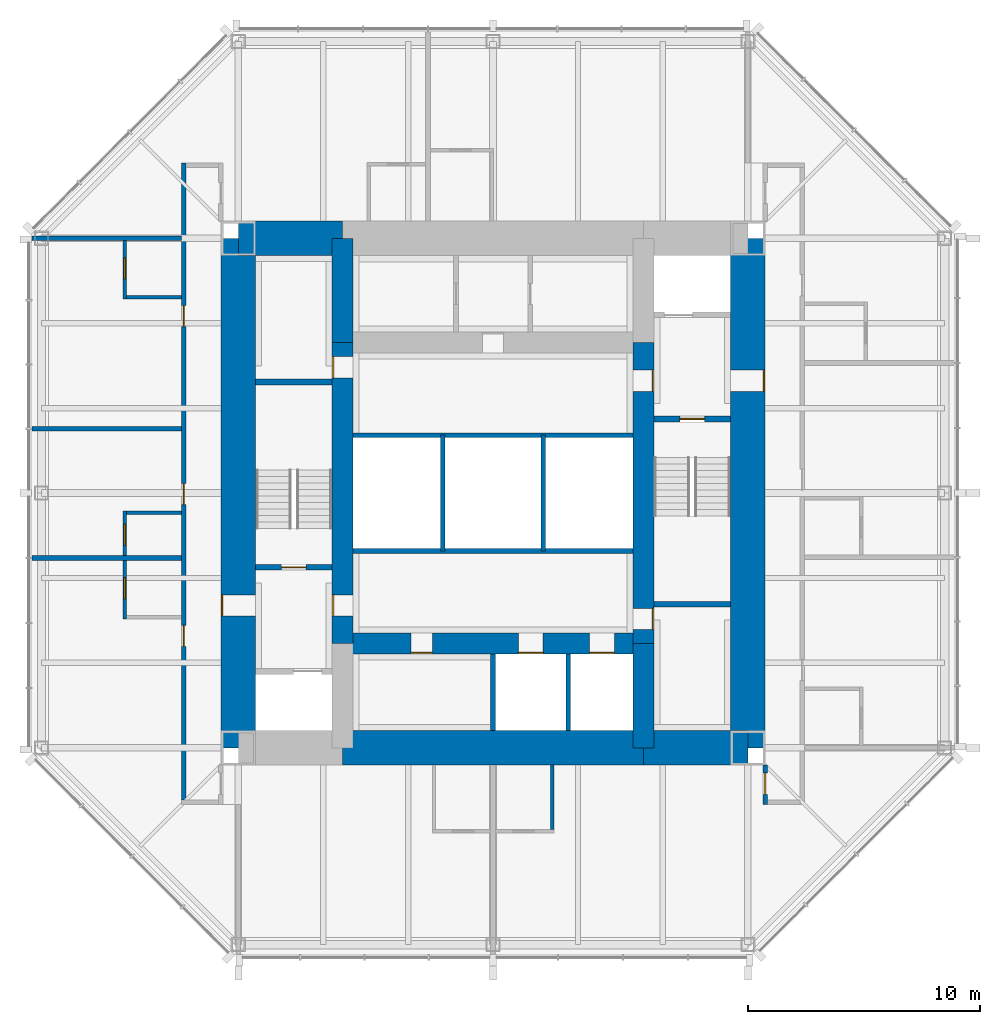
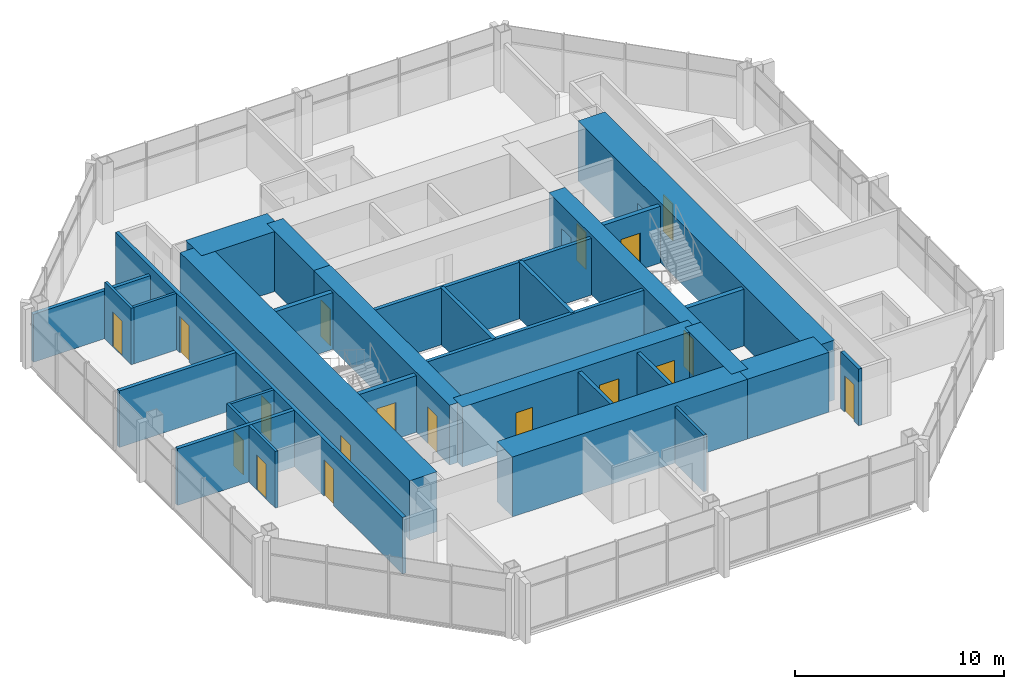
# One storey, part 8 of 11: 31 walls, 18 doors, 18 openings.
"""IFC4 building model written with IfcOpenShell, lengths in metres."""

from ifc_helpers import new_model, si_unit, direction, frame, frame_2d, origin, place, context, subcontext, project, spatial, rectangle, extrude, material, layer, layer_set, type_object, element, fill, save


model = new_model("IFC4")

# Units and contexts
model_context = context("Model", 3, precision=1e-05, world=origin(), true_north=direction((0.0, 1.0)))
body_context = subcontext(model_context, "Body", "Model", "MODEL_VIEW")
ifc_project = project(units=[si_unit("LENGTHUNIT", "METRE"), si_unit("AREAUNIT", "SQUARE_METRE"), si_unit("VOLUMEUNIT", "CUBIC_METRE"), si_unit("PLANEANGLEUNIT", "RADIAN"), si_unit("MASSUNIT", "GRAM", prefix="KILO")], contexts=[model_context])

# Site, building, storey
site_placement = place(None, origin())
site = spatial("IfcSite", under=ifc_project, at=site_placement, CompositionType="ELEMENT")
building_placement = place(site_placement, origin())
building = spatial("IfcBuilding", under=site, at=building_placement, Name="Trevanion Tower", CompositionType="ELEMENT")
storey_placement = place(building_placement, frame((0.0, 0.0, 239.699951171875)))
storey = spatial("IfcBuildingStorey", under=building, at=storey_placement, Name="L58", CompositionType="ELEMENT", Elevation=239.699951171875)

# Wall, opening, door
ifc_material_1 = material(Name="Concrete 10,000 psi", Category="concrete")
ifc_layer_1 = layer(ifc_material_1, 1.5)
ifc_layer_set_1 = layer_set([ifc_layer_1], Name="CW1 core wall 1500")
wall_type_1 = type_object("IfcWallType", Name="CW1 core wall 1500", PredefinedType="SHEAR", material=ifc_layer_set_1)
wall_1_placement = place(storey_placement, frame((11.0, -11.0, 0.0), z_axis=(0.0, 0.0, 1.0), x_axis=(0.0, 1.0, 0.0)))
wall_1 = element("IfcWall", 1, at=wall_1_placement, inside=storey, type_object=wall_type_1, Name="CW1 CE L58", PredefinedType="SHEAR", context=body_context, shape_type="SweptSolid", body=[
    extrude(rectangle(XDim=22.0, YDim=1.5, at=frame_2d((11.0, 0.0))), origin(), (0.0, 0.0, 1.0), 3.5),
])
opening_1_placement = place(wall_1_placement, frame((15.392578125, 0.0, 0.0)))
opening_1 = element("IfcOpeningElement", 2, at=opening_1_placement, cuts=wall_1, Name="Opening 58-001", PredefinedType="OPENING", context=body_context, shape_type="SweptSolid", body=[
    extrude(rectangle(XDim=0.9150390625, YDim=2.134033203125, at=frame_2d((0.45751953125, 1.06689453125))), frame((0.0, 0.760009765625, 0.0), z_axis=(0.0, -1.0, 0.0), x_axis=(1.0, 0.0, 0.0)), (0.0, 0.0, 1.0), 1.52001953125),
])
ifc_material_2 = material(Name="Hollow metal, fire rated", Category="steel")
door_type_1 = type_object("IfcDoorType", Name="D3 fire lift lobby door", OperationType="SINGLE_SWING_RIGHT", PredefinedType="DOOR", material=ifc_material_2)
door_1_placement = place(opening_1_placement, origin())
door_1 = element("IfcDoor", 3, at=door_1_placement, inside=storey, type_object=door_type_1, Name="Door 58-001", OperationType="SINGLE_SWING_RIGHT", OverallHeight=2.134033203125, OverallWidth=0.9150390625, PredefinedType="DOOR", context=body_context, shape_type="SweptSolid", body=[
    extrude(rectangle(XDim=0.9150390625, YDim=2.134033203125, at=frame_2d((0.45751953125, 1.06689453125))), frame((0.0, -0.6748046875, 0.0), z_axis=(0.0, -1.0, 0.0), x_axis=(1.0, 0.0, 0.0)), (0.0, 0.0, 1.0), 0.050048828125),
])
fill(opening_1, door_1)

wall_2_placement = place(storey_placement, frame((-11.0, 11.0, 0.0), z_axis=(0.0, 0.0, 1.0), x_axis=(0.0, -1.0, 0.0)))
wall_2 = element("IfcWall", 4, at=wall_2_placement, inside=storey, type_object=wall_type_1, Name="CW1 CW L58", PredefinedType="SHEAR", context=body_context, shape_type="SweptSolid", body=[
    extrude(rectangle(XDim=22.0, YDim=1.5, at=frame_2d((11.0, 0.0))), origin(), (0.0, 0.0, 1.0), 3.5),
])
opening_2_placement = place(wall_2_placement, frame((15.392578125, 0.0, 0.0)))
opening_2 = element("IfcOpeningElement", 5, at=opening_2_placement, cuts=wall_2, Name="Opening 58-002", PredefinedType="OPENING", context=body_context, shape_type="SweptSolid", body=[
    extrude(rectangle(XDim=0.9150390625, YDim=2.134033203125, at=frame_2d((0.45751953125, 1.06689453125))), frame((0.0, 0.760009765625, 0.0), z_axis=(0.0, -1.0, 0.0), x_axis=(1.0, 0.0, 0.0)), (0.0, 0.0, 1.0), 1.52001953125),
])
door_2_placement = place(opening_2_placement, origin())
door_2 = element("IfcDoor", 6, at=door_2_placement, inside=storey, type_object=door_type_1, Name="Door 58-002", OperationType="SINGLE_SWING_RIGHT", OverallHeight=2.134033203125, OverallWidth=0.9150390625, PredefinedType="DOOR", context=body_context, shape_type="SweptSolid", body=[
    extrude(rectangle(XDim=0.9150390625, YDim=2.134033203125, at=frame_2d((0.45751953125, 1.06689453125))), frame((0.0, -0.6748046875, 0.0), z_axis=(0.0, -1.0, 0.0), x_axis=(1.0, 0.0, 0.0)), (0.0, 0.0, 1.0), 0.050048828125),
])
fill(opening_2, door_2)

# Walls
wall_3_placement = place(storey_placement, frame((-6.5, 11.0, 0.0), z_axis=(0.0, 0.0, 1.0), x_axis=(-1.0, 0.0, 0.0)))
element("IfcWall", 7, at=wall_3_placement, inside=storey, type_object=wall_type_1, Name="CW1 CN3 L58", PredefinedType="SHEAR", context=body_context, shape_type="SweptSolid", body=[
    extrude(rectangle(XDim=4.5, YDim=1.5, at=frame_2d((2.25, 0.0))), origin(), (0.0, 0.0, 1.0), 3.5),
])
wall_4_placement = place(storey_placement, frame((-6.5, -11.0, 0.0), z_axis=(0.0, 0.0, 1.0), x_axis=(1.0, 0.0, 0.0)))
element("IfcWall", 8, at=wall_4_placement, inside=storey, type_object=wall_type_1, Name="CW1 CS2 L58", PredefinedType="SHEAR", context=body_context, shape_type="SweptSolid", body=[
    extrude(rectangle(XDim=13.0, YDim=1.5, at=frame_2d((6.5, 0.0))), origin(), (0.0, 0.0, 1.0), 3.5),
])
wall_5_placement = place(storey_placement, frame((6.5, -11.0, 0.0), z_axis=(0.0, 0.0, 1.0), x_axis=(1.0, 0.0, 0.0)))
element("IfcWall", 9, at=wall_5_placement, inside=storey, type_object=wall_type_1, Name="CW1 CS3 L58", PredefinedType="SHEAR", context=body_context, shape_type="SweptSolid", body=[
    extrude(rectangle(XDim=4.5, YDim=1.5, at=frame_2d((2.25, 0.0))), origin(), (0.0, 0.0, 1.0), 3.5),
])
ifc_material_3 = material(Name="Concrete 10,000 psi", Category="concrete")
ifc_layer_2 = layer(ifc_material_3, 0.89990234375)
ifc_layer_set_2 = layer_set([ifc_layer_2], Name="CW2 core wall 900")
wall_type_2 = type_object("IfcWallType", Name="CW2 core wall 900", PredefinedType="SHEAR", material=ifc_layer_set_2)
wall_6_placement = place(storey_placement, frame((6.5, -11.0, 0.0), z_axis=(0.0, 0.0, 1.0), x_axis=(0.0, 1.0, 0.0)))
element("IfcWall", 10, at=wall_6_placement, inside=storey, type_object=wall_type_2, Name="CW2 RE1 L58", PredefinedType="SHEAR", context=body_context, shape_type="SweptSolid", body=[
    extrude(rectangle(XDim=4.5, YDim=0.89990234375, at=frame_2d((2.25, 0.0))), origin(), (0.0, 0.0, 1.0), 3.5),
])

# Wall, openings, doors
wall_7_placement = place(storey_placement, frame((6.5, -6.5, 0.0), z_axis=(0.0, 0.0, 1.0), x_axis=(0.0, 1.0, 0.0)))
wall_7 = element("IfcWall", 11, at=wall_7_placement, inside=storey, type_object=wall_type_2, Name="CW2 RE2 L58", PredefinedType="SHEAR", context=body_context, shape_type="SweptSolid", body=[
    extrude(rectangle(XDim=13.0, YDim=0.89990234375, at=frame_2d((6.5, 0.0))), origin(), (0.0, 0.0, 1.0), 3.5),
])
opening_3_placement = place(wall_7_placement, frame((10.892578125, 0.0, 0.0)))
opening_3 = element("IfcOpeningElement", 12, at=opening_3_placement, cuts=wall_7, Name="Opening 58-003", PredefinedType="OPENING", context=body_context, shape_type="SweptSolid", body=[
    extrude(rectangle(XDim=0.9150390625, YDim=2.134033203125, at=frame_2d((0.45751953125, 1.06689453125))), frame((0.0, 0.4599609375, 0.0), z_axis=(0.0, -1.0, 0.0), x_axis=(1.0, 0.0, 0.0)), (0.0, 0.0, 1.0), 0.919921875),
])
opening_4_placement = place(wall_7_placement, frame((0.610107421875, 0.0, 0.0)))
opening_4 = element("IfcOpeningElement", 13, at=opening_4_placement, cuts=wall_7, Name="Opening 58-009", PredefinedType="OPENING", context=body_context, shape_type="SweptSolid", body=[
    extrude(rectangle(XDim=0.9150390625, YDim=2.134033203125, at=frame_2d((0.45751953125, 1.06689453125))), frame((0.0, 0.4599609375, 0.0), z_axis=(0.0, -1.0, 0.0), x_axis=(1.0, 0.0, 0.0)), (0.0, 0.0, 1.0), 0.919921875),
])
door_3_placement = place(opening_3_placement, origin())
door_3 = element("IfcDoor", 14, at=door_3_placement, inside=storey, type_object=door_type_1, Name="Door 58-003", OperationType="SINGLE_SWING_RIGHT", OverallHeight=2.134033203125, OverallWidth=0.9150390625, PredefinedType="DOOR", context=body_context, shape_type="SweptSolid", body=[
    extrude(rectangle(XDim=0.9150390625, YDim=2.134033203125, at=frame_2d((0.45751953125, 1.06689453125))), frame((0.0, -0.375, 0.0), z_axis=(0.0, -1.0, 0.0), x_axis=(1.0, 0.0, 0.0)), (0.0, 0.0, 1.0), 0.050048828125),
])
fill(opening_3, door_3)
ifc_material_4 = material(Name="Hollow metal, fire rated", Category="steel")
door_type_2 = type_object("IfcDoorType", Name="D5 service room door", OperationType="SINGLE_SWING_RIGHT", PredefinedType="DOOR", material=ifc_material_4)
door_4_placement = place(opening_4_placement, origin())
door_4 = element("IfcDoor", 15, at=door_4_placement, inside=storey, type_object=door_type_2, Name="Door 58-009", OperationType="SINGLE_SWING_RIGHT", OverallHeight=2.134033203125, OverallWidth=0.9150390625, PredefinedType="DOOR", context=body_context, shape_type="SweptSolid", body=[
    extrude(rectangle(XDim=0.9150390625, YDim=2.134033203125, at=frame_2d((0.45751953125, 1.06689453125))), frame((0.0, -0.375, 0.0), z_axis=(0.0, -1.0, 0.0), x_axis=(1.0, 0.0, 0.0)), (0.0, 0.0, 1.0), 0.050048828125),
])
fill(opening_4, door_4)

# Wall
wall_8_placement = place(storey_placement, frame((-6.5, 11.0, 0.0), z_axis=(0.0, 0.0, 1.0), x_axis=(0.0, -1.0, 0.0)))
element("IfcWall", 16, at=wall_8_placement, inside=storey, type_object=wall_type_2, Name="CW2 RW1 L58", PredefinedType="SHEAR", context=body_context, shape_type="SweptSolid", body=[
    extrude(rectangle(XDim=4.5, YDim=0.89990234375, at=frame_2d((2.25, 0.0))), origin(), (0.0, 0.0, 1.0), 3.5),
])

# Wall, openings, doors
wall_9_placement = place(storey_placement, frame((-6.5, 6.5, 0.0), z_axis=(0.0, 0.0, 1.0), x_axis=(0.0, -1.0, 0.0)))
wall_9 = element("IfcWall", 17, at=wall_9_placement, inside=storey, type_object=wall_type_2, Name="CW2 RW2 L58", PredefinedType="SHEAR", context=body_context, shape_type="SweptSolid", body=[
    extrude(rectangle(XDim=13.0, YDim=0.89990234375, at=frame_2d((6.5, 0.0))), origin(), (0.0, 0.0, 1.0), 3.5),
])
opening_5_placement = place(wall_9_placement, frame((10.892578125, 0.0, 0.0)))
opening_5 = element("IfcOpeningElement", 18, at=opening_5_placement, cuts=wall_9, Name="Opening 58-004", PredefinedType="OPENING", context=body_context, shape_type="SweptSolid", body=[
    extrude(rectangle(XDim=0.9150390625, YDim=2.134033203125, at=frame_2d((0.45751953125, 1.06689453125))), frame((0.0, 0.4599609375, 0.0), z_axis=(0.0, -1.0, 0.0), x_axis=(1.0, 0.0, 0.0)), (0.0, 0.0, 1.0), 0.919921875),
])
opening_6_placement = place(wall_9_placement, frame((0.610107421875, 0.0, 0.0)))
opening_6 = element("IfcOpeningElement", 19, at=opening_6_placement, cuts=wall_9, Name="Opening 58-010", PredefinedType="OPENING", context=body_context, shape_type="SweptSolid", body=[
    extrude(rectangle(XDim=0.9150390625, YDim=2.134033203125, at=frame_2d((0.45751953125, 1.06689453125))), frame((0.0, 0.4599609375, 0.0), z_axis=(0.0, -1.0, 0.0), x_axis=(1.0, 0.0, 0.0)), (0.0, 0.0, 1.0), 0.919921875),
])
door_5_placement = place(opening_5_placement, origin())
door_5 = element("IfcDoor", 20, at=door_5_placement, inside=storey, type_object=door_type_1, Name="Door 58-004", OperationType="SINGLE_SWING_RIGHT", OverallHeight=2.134033203125, OverallWidth=0.9150390625, PredefinedType="DOOR", context=body_context, shape_type="SweptSolid", body=[
    extrude(rectangle(XDim=0.9150390625, YDim=2.134033203125, at=frame_2d((0.45751953125, 1.06689453125))), frame((0.0, -0.375, 0.0), z_axis=(0.0, -1.0, 0.0), x_axis=(1.0, 0.0, 0.0)), (0.0, 0.0, 1.0), 0.050048828125),
])
fill(opening_5, door_5)
door_6_placement = place(opening_6_placement, origin())
door_6 = element("IfcDoor", 21, at=door_6_placement, inside=storey, type_object=door_type_2, Name="Door 58-010", OperationType="SINGLE_SWING_RIGHT", OverallHeight=2.134033203125, OverallWidth=0.9150390625, PredefinedType="DOOR", context=body_context, shape_type="SweptSolid", body=[
    extrude(rectangle(XDim=0.9150390625, YDim=2.134033203125, at=frame_2d((0.45751953125, 1.06689453125))), frame((0.0, -0.375, 0.0), z_axis=(0.0, -1.0, 0.0), x_axis=(1.0, 0.0, 0.0)), (0.0, 0.0, 1.0), 0.050048828125),
])
fill(opening_6, door_6)

wall_10_placement = place(storey_placement, frame((-6.5, -6.5, 0.0), z_axis=(0.0, 0.0, 1.0), x_axis=(1.0, 0.0, 0.0)))
wall_10 = element("IfcWall", 22, at=wall_10_placement, inside=storey, type_object=wall_type_2, Name="CW2 RS L58", PredefinedType="SHEAR", context=body_context, shape_type="SweptSolid", body=[
    extrude(rectangle(XDim=13.0, YDim=0.89990234375, at=frame_2d((6.5, 0.0))), origin(), (0.0, 0.0, 1.0), 3.5),
])
opening_7_placement = place(wall_10_placement, frame((7.591552734375, 0.0, 0.0)))
opening_7 = element("IfcOpeningElement", 23, at=opening_7_placement, cuts=wall_10, Name="Opening 58-011", PredefinedType="OPENING", context=body_context, shape_type="SweptSolid", body=[
    extrude(rectangle(XDim=1.06689453125, YDim=2.134033203125, at=frame_2d((0.533447265625, 1.06689453125))), frame((0.0, 0.4599609375, 0.0), z_axis=(0.0, -1.0, 0.0), x_axis=(1.0, 0.0, 0.0)), (0.0, 0.0, 1.0), 0.919921875),
])
opening_8_placement = place(wall_10_placement, frame((10.66650390625, 0.0, 0.0)))
opening_8 = element("IfcOpeningElement", 24, at=opening_8_placement, cuts=wall_10, Name="Opening 58-012", PredefinedType="OPENING", context=body_context, shape_type="SweptSolid", body=[
    extrude(rectangle(XDim=1.06689453125, YDim=2.134033203125, at=frame_2d((0.533447265625, 1.06689453125))), frame((0.0, 0.4599609375, 0.0), z_axis=(0.0, -1.0, 0.0), x_axis=(1.0, 0.0, 0.0)), (0.0, 0.0, 1.0), 0.919921875),
])
opening_9_placement = place(wall_10_placement, frame((2.967529296875, 0.0, 0.0)))
opening_9 = element("IfcOpeningElement", 25, at=opening_9_placement, cuts=wall_10, Name="Opening 58-013", PredefinedType="OPENING", context=body_context, shape_type="SweptSolid", body=[
    extrude(rectangle(XDim=0.9150390625, YDim=2.134033203125, at=frame_2d((0.45751953125, 1.06689453125))), frame((0.0, 0.4599609375, 0.0), z_axis=(0.0, -1.0, 0.0), x_axis=(1.0, 0.0, 0.0)), (0.0, 0.0, 1.0), 0.919921875),
])
door_7_placement = place(opening_9_placement, origin())
door_7 = element("IfcDoor", 26, at=door_7_placement, inside=storey, type_object=door_type_2, Name="Door 58-013", OperationType="SINGLE_SWING_RIGHT", OverallHeight=2.134033203125, OverallWidth=0.9150390625, PredefinedType="DOOR", context=body_context, shape_type="SweptSolid", body=[
    extrude(rectangle(XDim=0.9150390625, YDim=2.134033203125, at=frame_2d((0.45751953125, 1.06689453125))), frame((0.0, -0.375, 0.0), z_axis=(0.0, -1.0, 0.0), x_axis=(1.0, 0.0, 0.0)), (0.0, 0.0, 1.0), 0.050048828125),
])
fill(opening_9, door_7)
ifc_material_5 = material(Name="Stainless steel, fire rated", Category="steel")
door_type_3 = type_object("IfcDoorType", Name="LD1 lift landing door", OperationType="SLIDING_TO_LEFT", PredefinedType="DOOR", material=ifc_material_5)
door_8_placement = place(opening_7_placement, origin())
door_8 = element("IfcDoor", 27, at=door_8_placement, inside=storey, type_object=door_type_3, Name="Door 58-011", OperationType="SLIDING_TO_LEFT", OverallHeight=2.134033203125, OverallWidth=1.06689453125, PredefinedType="DOOR", context=body_context, shape_type="SweptSolid", body=[
    extrude(rectangle(XDim=1.06689453125, YDim=2.134033203125, at=frame_2d((0.533447265625, 1.06689453125))), frame((0.0, -0.375, 0.0), z_axis=(0.0, -1.0, 0.0), x_axis=(1.0, 0.0, 0.0)), (0.0, 0.0, 1.0), 0.050048828125),
])
fill(opening_7, door_8)
door_9_placement = place(opening_8_placement, origin())
door_9 = element("IfcDoor", 28, at=door_9_placement, inside=storey, type_object=door_type_3, Name="Door 58-012", OperationType="SLIDING_TO_LEFT", OverallHeight=2.134033203125, OverallWidth=1.06689453125, PredefinedType="DOOR", context=body_context, shape_type="SweptSolid", body=[
    extrude(rectangle(XDim=1.06689453125, YDim=2.134033203125, at=frame_2d((0.533447265625, 1.06689453125))), frame((0.0, -0.375, 0.0), z_axis=(0.0, -1.0, 0.0), x_axis=(1.0, 0.0, 0.0)), (0.0, 0.0, 1.0), 0.050048828125),
])
fill(opening_8, door_9)

# Wall, opening, door
ifc_material_6 = material(Name="Gypsum board on steel studs", Category="steel")
ifc_layer_3 = layer(ifc_material_6, 0.14990234375)
ifc_layer_set_3 = layer_set([ifc_layer_3], Name="PT1 partition 150")
wall_type_3 = type_object("IfcWallType", Name="PT1 partition 150", PredefinedType="PARTITIONING", material=ifc_layer_set_3)
wall_11_placement = place(storey_placement, frame((-15.89990234375, 10.89990234375, 0.0), z_axis=(0.0, 0.0, 1.0), x_axis=(0.0, -1.0, 0.0)))
wall_11 = element("IfcWall", 29, at=wall_11_placement, inside=storey, type_object=wall_type_3, Name="PT1 L58 BA20", PredefinedType="PARTITIONING", context=body_context, shape_type="SweptSolid", body=[
    extrude(rectangle(XDim=2.52490234375, YDim=0.14990234375, at=frame_2d((1.262451171875, 0.0))), origin(), (0.0, 0.0, 1.0), 3.31005859375),
])
opening_10_placement = place(wall_11_placement, frame((0.742431640625, 0.0, 0.0)))
opening_10 = element("IfcOpeningElement", 30, at=opening_10_placement, cuts=wall_11, Name="Opening 58-027", PredefinedType="OPENING", context=body_context, shape_type="SweptSolid", body=[
    extrude(rectangle(XDim=0.9150390625, YDim=2.031982421875, at=frame_2d((0.45751953125, 1.01611328125))), frame((0.0, 0.0849609375, 0.0), z_axis=(0.0, -1.0, 0.0), x_axis=(1.0, 0.0, 0.0)), (0.0, 0.0, 1.0), 0.169921875),
])
ifc_material_7 = material(Name="Timber veneer", Category="wood")
door_type_4 = type_object("IfcDoorType", Name="D7 bathroom door", OperationType="SINGLE_SWING_LEFT", PredefinedType="DOOR", material=ifc_material_7)
door_10_placement = place(opening_10_placement, origin())
door_10 = element("IfcDoor", 31, at=door_10_placement, inside=storey, type_object=door_type_4, Name="Door 58-027", OperationType="SINGLE_SWING_LEFT", OverallHeight=2.031982421875, OverallWidth=0.9150390625, PredefinedType="DOOR", context=body_context, shape_type="SweptSolid", body=[
    extrude(rectangle(XDim=0.9150390625, YDim=2.031982421875, at=frame_2d((0.45751953125, 1.01611328125))), frame((0.0, 0.02490234375, 0.0), z_axis=(0.0, -1.0, 0.0), x_axis=(1.0, 0.0, 0.0)), (0.0, 0.0, 1.0), 0.050048828125),
])
fill(opening_10, door_10)

# Wall
wall_12_placement = place(storey_placement, frame((-13.449951171875, 8.449951171875, 0.0), z_axis=(0.0, 0.0, 1.0), x_axis=(-1.0, 0.0, 0.0)))
element("IfcWall", 32, at=wall_12_placement, inside=storey, type_object=wall_type_3, Name="PT1 L58 BB20", PredefinedType="PARTITIONING", context=body_context, shape_type="SweptSolid", body=[
    extrude(rectangle(XDim=2.375, YDim=0.14990234375, at=frame_2d((1.1875, 0.0))), origin(), (0.0, 0.0, 1.0), 3.31005859375),
])

# Wall, opening, door
wall_13_placement = place(storey_placement, frame((-15.89990234375, -0.781982421875, 0.0), z_axis=(0.0, 0.0, 1.0), x_axis=(0.0, -1.0, 0.0)))
wall_13 = element("IfcWall", 33, at=wall_13_placement, inside=storey, type_object=wall_type_3, Name="PT1 L58 BA21", PredefinedType="PARTITIONING", context=body_context, shape_type="SweptSolid", body=[
    extrude(rectangle(XDim=1.925048828125, YDim=0.14990234375, at=frame_2d((0.96240234375, 0.0))), origin(), (0.0, 0.0, 1.0), 3.31005859375),
])
opening_11_placement = place(wall_13_placement, frame((0.5673828125, 0.0, 0.0)))
opening_11 = element("IfcOpeningElement", 34, at=opening_11_placement, cuts=wall_13, Name="Opening 58-029", PredefinedType="OPENING", context=body_context, shape_type="SweptSolid", body=[
    extrude(rectangle(XDim=0.9150390625, YDim=2.031982421875, at=frame_2d((0.45751953125, 1.01611328125))), frame((0.0, 0.0849609375, 0.0), z_axis=(0.0, -1.0, 0.0), x_axis=(1.0, 0.0, 0.0)), (0.0, 0.0, 1.0), 0.169921875),
])
door_11_placement = place(opening_11_placement, origin())
door_11 = element("IfcDoor", 35, at=door_11_placement, inside=storey, type_object=door_type_4, Name="Door 58-029", OperationType="SINGLE_SWING_LEFT", OverallHeight=2.031982421875, OverallWidth=0.9150390625, PredefinedType="DOOR", context=body_context, shape_type="SweptSolid", body=[
    extrude(rectangle(XDim=0.9150390625, YDim=2.031982421875, at=frame_2d((0.45751953125, 1.01611328125))), frame((0.0, 0.02490234375, 0.0), z_axis=(0.0, -1.0, 0.0), x_axis=(1.0, 0.0, 0.0)), (0.0, 0.0, 1.0), 0.050048828125),
])
fill(opening_11, door_11)

# Wall
wall_14_placement = place(storey_placement, frame((-13.449951171875, -0.85693359375, 0.0), z_axis=(0.0, 0.0, 1.0), x_axis=(-1.0, 0.0, 0.0)))
element("IfcWall", 36, at=wall_14_placement, inside=storey, type_object=wall_type_3, Name="PT1 L58 BB21", PredefinedType="PARTITIONING", context=body_context, shape_type="SweptSolid", body=[
    extrude(rectangle(XDim=2.375, YDim=0.14990234375, at=frame_2d((1.1875, 0.0))), origin(), (0.0, 0.0, 1.0), 3.31005859375),
])

# Wall, opening, door
wall_15_placement = place(storey_placement, frame((-15.89990234375, -2.906982421875, 0.0), z_axis=(0.0, 0.0, 1.0), x_axis=(0.0, -1.0, 0.0)))
wall_15 = element("IfcWall", 37, at=wall_15_placement, inside=storey, type_object=wall_type_3, Name="PT1 L58 BA22", PredefinedType="PARTITIONING", context=body_context, shape_type="SweptSolid", body=[
    extrude(rectangle(XDim=2.52490234375, YDim=0.14990234375, at=frame_2d((1.262451171875, 0.0))), origin(), (0.0, 0.0, 1.0), 3.31005859375),
])
opening_12_placement = place(wall_15_placement, frame((0.742431640625, 0.0, 0.0)))
opening_12 = element("IfcOpeningElement", 38, at=opening_12_placement, cuts=wall_15, Name="Opening 58-031", PredefinedType="OPENING", context=body_context, shape_type="SweptSolid", body=[
    extrude(rectangle(XDim=0.9150390625, YDim=2.031982421875, at=frame_2d((0.45751953125, 1.01611328125))), frame((0.0, 0.0849609375, 0.0), z_axis=(0.0, -1.0, 0.0), x_axis=(1.0, 0.0, 0.0)), (0.0, 0.0, 1.0), 0.169921875),
])
door_12_placement = place(opening_12_placement, origin())
door_12 = element("IfcDoor", 39, at=door_12_placement, inside=storey, type_object=door_type_4, Name="Door 58-031", OperationType="SINGLE_SWING_LEFT", OverallHeight=2.031982421875, OverallWidth=0.9150390625, PredefinedType="DOOR", context=body_context, shape_type="SweptSolid", body=[
    extrude(rectangle(XDim=0.9150390625, YDim=2.031982421875, at=frame_2d((0.45751953125, 1.01611328125))), frame((0.0, 0.02490234375, 0.0), z_axis=(0.0, -1.0, 0.0), x_axis=(1.0, 0.0, 0.0)), (0.0, 0.0, 1.0), 0.050048828125),
])
fill(opening_12, door_12)

# Walls
wall_16_placement = place(storey_placement, frame((2.550048828125, -11.75, 0.0), z_axis=(0.0, 0.0, 1.0), x_axis=(0.0, -1.0, 0.0)))
element("IfcWall", 40, at=wall_16_placement, inside=storey, type_object=wall_type_3, Name="PT1 L58 BB31", PredefinedType="PARTITIONING", context=body_context, shape_type="SweptSolid", body=[
    extrude(rectangle(XDim=2.77490234375, YDim=0.14990234375, at=frame_2d((1.387451171875, 0.0))), origin(), (0.0, 0.0, 1.0), 3.31005859375),
])
ifc_material_8 = material(Name="Concrete masonry, grouted", Category="masonry")
ifc_layer_4 = layer(ifc_material_8, 0.199951171875)
ifc_layer_set_4 = layer_set([ifc_layer_4], Name="PT2 partition 200 1 HR")
wall_type_4 = type_object("IfcWallType", Name="PT2 partition 200 1 HR", PredefinedType="PARTITIONING", material=ifc_layer_set_4)
for number, where, z_axis, x_axis, name in (
    (41, (-6.050048828125, 2.5, 0.0), (0.0, 0.0, 1.0), (1.0, 0.0, 0.0), "PT2 L58 CP1"),
    (42, (6.050048828125, -2.5, 0.0), (0.0, 0.0, 1.0), (-1.0, 0.0, 0.0), "PT2 L58 CP2"),
):
    element("IfcWall", number, at=place(storey_placement, frame(where, z_axis=z_axis, x_axis=x_axis)), inside=storey, type_object=wall_type_4, Name=name, PredefinedType="PARTITIONING", context=body_context, shape_type="SweptSolid", body=[
        extrude(rectangle(XDim=12.10009765625, YDim=0.199951171875, at=frame_2d((6.050048828125, 0.0))), origin(), (0.0, 0.0, 1.0), 3.31005859375),
    ])

# Wall, opening, door
wall_17_placement = place(storey_placement, frame((11.75, -11.75, 0.0), z_axis=(0.0, 0.0, 1.0), x_axis=(0.0, -1.0, 0.0)))
wall_17 = element("IfcWall", 43, at=wall_17_placement, inside=storey, type_object=wall_type_4, Name="PT2 L58 HO3b", PredefinedType="PARTITIONING", context=body_context, shape_type="SweptSolid", body=[
    extrude(rectangle(XDim=1.699951171875, YDim=0.199951171875, at=frame_2d((0.85009765625, 0.0))), origin(), (0.0, 0.0, 1.0), 3.31005859375),
])
opening_13_placement = place(wall_17_placement, frame((0.342529296875, 0.0, 0.0)))
opening_13 = element("IfcOpeningElement", 44, at=opening_13_placement, cuts=wall_17, Name="Opening 58-034", PredefinedType="OPENING", context=body_context, shape_type="SweptSolid", body=[
    extrude(rectangle(XDim=0.9150390625, YDim=2.134033203125, at=frame_2d((0.45751953125, 1.06689453125))), frame((0.0, 0.10986328125, 0.0), z_axis=(0.0, -1.0, 0.0), x_axis=(1.0, 0.0, 0.0)), (0.0, 0.0, 1.0), 0.219970703125),
])
ifc_material_9 = material(Name="Timber veneer, fire rated", Category="wood")
door_type_5 = type_object("IfcDoorType", Name="D6 guest room entrance door", OperationType="SINGLE_SWING_LEFT", PredefinedType="DOOR", material=ifc_material_9)
door_13_placement = place(opening_13_placement, origin())
door_13 = element("IfcDoor", 45, at=door_13_placement, inside=storey, type_object=door_type_5, Name="Door 58-034", OperationType="SINGLE_SWING_LEFT", OverallHeight=2.134033203125, OverallWidth=0.9150390625, PredefinedType="DOOR", context=body_context, shape_type="SweptSolid", body=[
    extrude(rectangle(XDim=0.9150390625, YDim=2.134033203125, at=frame_2d((0.45751953125, 1.06689453125))), frame((0.0, 0.02490234375, 0.0), z_axis=(0.0, -1.0, 0.0), x_axis=(1.0, 0.0, 0.0)), (0.0, 0.0, 1.0), 0.050048828125),
])
fill(opening_13, door_13)

# Wall, openings, doors
wall_18_placement = place(storey_placement, frame((-13.35009765625, 14.25, 0.0), z_axis=(0.0, 0.0, 1.0), x_axis=(0.0, -1.0, 0.0)))
wall_18 = element("IfcWall", 46, at=wall_18_placement, inside=storey, type_object=wall_type_4, Name="PT2 L58 HC2", PredefinedType="PARTITIONING", context=body_context, shape_type="SweptSolid", body=[
    extrude(rectangle(XDim=27.5, YDim=0.199951171875, at=frame_2d((13.75, 0.0))), origin(), (0.0, 0.0, 1.0), 3.31005859375),
])
opening_14_placement = place(wall_18_placement, frame((6.152587890625, 0.0, 0.0)))
opening_14 = element("IfcOpeningElement", 47, at=opening_14_placement, cuts=wall_18, Name="Opening 58-028", PredefinedType="OPENING", context=body_context, shape_type="SweptSolid", body=[
    extrude(rectangle(XDim=0.9150390625, YDim=2.134033203125, at=frame_2d((0.45751953125, 1.06689453125))), frame((0.0, 0.10986328125, 0.0), z_axis=(0.0, -1.0, 0.0), x_axis=(1.0, 0.0, 0.0)), (0.0, 0.0, 1.0), 0.219970703125),
])
opening_15_placement = place(wall_18_placement, frame((13.839599609375, 0.0, 0.0)))
opening_15 = element("IfcOpeningElement", 48, at=opening_15_placement, cuts=wall_18, Name="Opening 58-030", PredefinedType="OPENING", context=body_context, shape_type="SweptSolid", body=[
    extrude(rectangle(XDim=0.9150390625, YDim=2.134033203125, at=frame_2d((0.45751953125, 1.06689453125))), frame((0.0, 0.10986328125, 0.0), z_axis=(0.0, -1.0, 0.0), x_axis=(1.0, 0.0, 0.0)), (0.0, 0.0, 1.0), 0.219970703125),
])
opening_16_placement = place(wall_18_placement, frame((19.95947265625, 0.0, 0.0)))
opening_16 = element("IfcOpeningElement", 49, at=opening_16_placement, cuts=wall_18, Name="Opening 58-032", PredefinedType="OPENING", context=body_context, shape_type="SweptSolid", body=[
    extrude(rectangle(XDim=0.9150390625, YDim=2.134033203125, at=frame_2d((0.45751953125, 1.06689453125))), frame((0.0, 0.10986328125, 0.0), z_axis=(0.0, -1.0, 0.0), x_axis=(1.0, 0.0, 0.0)), (0.0, 0.0, 1.0), 0.219970703125),
])
door_14_placement = place(opening_14_placement, origin())
door_14 = element("IfcDoor", 50, at=door_14_placement, inside=storey, type_object=door_type_5, Name="Door 58-028", OperationType="SINGLE_SWING_LEFT", OverallHeight=2.134033203125, OverallWidth=0.9150390625, PredefinedType="DOOR", context=body_context, shape_type="SweptSolid", body=[
    extrude(rectangle(XDim=0.9150390625, YDim=2.134033203125, at=frame_2d((0.45751953125, 1.06689453125))), frame((0.0, 0.02490234375, 0.0), z_axis=(0.0, -1.0, 0.0), x_axis=(1.0, 0.0, 0.0)), (0.0, 0.0, 1.0), 0.050048828125),
])
fill(opening_14, door_14)
door_15_placement = place(opening_15_placement, origin())
door_15 = element("IfcDoor", 51, at=door_15_placement, inside=storey, type_object=door_type_5, Name="Door 58-030", OperationType="SINGLE_SWING_LEFT", OverallHeight=2.134033203125, OverallWidth=0.9150390625, PredefinedType="DOOR", context=body_context, shape_type="SweptSolid", body=[
    extrude(rectangle(XDim=0.9150390625, YDim=2.134033203125, at=frame_2d((0.45751953125, 1.06689453125))), frame((0.0, 0.02490234375, 0.0), z_axis=(0.0, -1.0, 0.0), x_axis=(1.0, 0.0, 0.0)), (0.0, 0.0, 1.0), 0.050048828125),
])
fill(opening_15, door_15)
door_16_placement = place(opening_16_placement, origin())
door_16 = element("IfcDoor", 52, at=door_16_placement, inside=storey, type_object=door_type_5, Name="Door 58-032", OperationType="SINGLE_SWING_LEFT", OverallHeight=2.134033203125, OverallWidth=0.9150390625, PredefinedType="DOOR", context=body_context, shape_type="SweptSolid", body=[
    extrude(rectangle(XDim=0.9150390625, YDim=2.134033203125, at=frame_2d((0.45751953125, 1.06689453125))), frame((0.0, 0.02490234375, 0.0), z_axis=(0.0, -1.0, 0.0), x_axis=(1.0, 0.0, 0.0)), (0.0, 0.0, 1.0), 0.050048828125),
])
fill(opening_16, door_16)

# Walls
wall_19_placement = place(storey_placement, frame((-13.449951171875, 11.0, 0.0), z_axis=(0.0, 0.0, 1.0), x_axis=(-1.0, 0.0, 0.0)))
element("IfcWall", 53, at=wall_19_placement, inside=storey, type_object=wall_type_4, Name="PT2 L58 HD20", PredefinedType="PARTITIONING", context=body_context, shape_type="SweptSolid", body=[
    extrude(rectangle(XDim=6.465087890625, YDim=0.199951171875, at=frame_2d((3.232421875, 0.0))), origin(), (0.0, 0.0, 1.0), 2.802001953125),
])
for number, where, z_axis, x_axis, name in (
    (54, (-13.449951171875, 2.77490234375, 0.0), (0.0, 0.0, 1.0), (-1.0, 0.0, 0.0), "PT2 L58 HD21"),
    (55, (-13.449951171875, -2.806884765625, 0.0), (0.0, 0.0, 1.0), (-1.0, 0.0, 0.0), "PT2 L58 HD22"),
):
    element("IfcWall", number, at=place(storey_placement, frame(where, z_axis=z_axis, x_axis=x_axis)), inside=storey, type_object=wall_type_4, Name=name, PredefinedType="PARTITIONING", context=body_context, shape_type="SweptSolid", body=[
        extrude(rectangle(XDim=6.465087890625, YDim=0.199951171875, at=frame_2d((3.232421875, 0.0))), origin(), (0.0, 0.0, 1.0), 3.31005859375),
    ])
ifc_material_10 = material(Name="Concrete masonry, grouted", Category="masonry")
ifc_layer_5 = layer(ifc_material_10, 0.199951171875)
ifc_layer_set_5 = layer_set([ifc_layer_5], Name="PT2 partition 200 2 HR")
wall_type_5 = type_object("IfcWallType", Name="PT2 partition 200 2 HR", PredefinedType="PARTITIONING", material=ifc_layer_set_5)
for number, where, z_axis, x_axis, name in (
    (56, (0.0, -10.25, 0.0), (0.0, 0.0, 1.0), (0.0, 1.0, 0.0), "PT2 L58 SS1"),
    (57, (3.25, -10.25, 0.0), (0.0, 0.0, 1.0), (0.0, 1.0, 0.0), "PT2 L58 SS2"),
):
    element("IfcWall", number, at=place(storey_placement, frame(where, z_axis=z_axis, x_axis=x_axis)), inside=storey, type_object=wall_type_5, Name=name, PredefinedType="PARTITIONING", context=body_context, shape_type="SweptSolid", body=[
        extrude(rectangle(XDim=3.300048828125, YDim=0.199951171875, at=frame_2d((1.64990234375, 0.0))), origin(), (0.0, 0.0, 1.0), 3.31005859375),
    ])
for number, where, z_axis, x_axis, name in (
    (58, (-2.166748046875, -2.5, 0.0), (0.0, 0.0, 1.0), (0.0, 1.0, 0.0), "PT2 L58 MS0"),
    (59, (2.166748046875, -2.5, 0.0), (0.0, 0.0, 1.0), (0.0, 1.0, 0.0), "PT2 L58 MS1"),
):
    element("IfcWall", number, at=place(storey_placement, frame(where, z_axis=z_axis, x_axis=x_axis)), inside=storey, type_object=wall_type_5, Name=name, PredefinedType="PARTITIONING", context=body_context, shape_type="SweptSolid", body=[
        extrude(rectangle(XDim=5.0, YDim=0.199951171875, at=frame_2d((2.5, 0.0))), origin(), (0.0, 0.0, 1.0), 3.31005859375),
    ])
ifc_material_11 = material(Name="Reinforced masonry, fully grouted", Category="masonry")
ifc_layer_6 = layer(ifc_material_11, 0.25)
ifc_layer_set_6 = layer_set([ifc_layer_6], Name="SW1 stair shaft wall 250")
wall_type_6 = type_object("IfcWallType", Name="SW1 stair shaft wall 250", PredefinedType="SOLIDWALL", material=ifc_layer_set_6)
for number, where, z_axis, x_axis, name in (
    (60, (6.949951171875, -4.800048828125, 0.0), (0.0, 0.0, 1.0), (1.0, 0.0, 0.0), "SW1 L58 EP1"),
    (61, (-6.949951171875, 4.800048828125, 0.0), (0.0, 0.0, 1.0), (-1.0, 0.0, 0.0), "SW1 L58 WP1"),
):
    element("IfcWall", number, at=place(storey_placement, frame(where, z_axis=z_axis, x_axis=x_axis)), inside=storey, type_object=wall_type_6, Name=name, PredefinedType="SOLIDWALL", context=body_context, shape_type="SweptSolid", body=[
        extrude(rectangle(XDim=3.300048828125, YDim=0.25, at=frame_2d((1.64990234375, 0.0))), origin(), (0.0, 0.0, 1.0), 3.31005859375),
    ])

# Wall, opening, door
wall_20_placement = place(storey_placement, frame((6.949951171875, 3.199951171875, 0.0), z_axis=(0.0, 0.0, 1.0), x_axis=(1.0, 0.0, 0.0)))
wall_20 = element("IfcWall", 62, at=wall_20_placement, inside=storey, type_object=wall_type_6, Name="SW1 L58 EP2", PredefinedType="SOLIDWALL", context=body_context, shape_type="SweptSolid", body=[
    extrude(rectangle(XDim=3.300048828125, YDim=0.25, at=frame_2d((1.64990234375, 0.0))), origin(), (0.0, 0.0, 1.0), 3.31005859375),
])
opening_17_placement = place(wall_20_placement, frame((1.116455078125, 0.0, 0.0)))
opening_17 = element("IfcOpeningElement", 63, at=opening_17_placement, cuts=wall_20, Name="Opening 58-005", PredefinedType="OPENING", context=body_context, shape_type="SweptSolid", body=[
    extrude(rectangle(XDim=1.06689453125, YDim=2.134033203125, at=frame_2d((0.533447265625, 1.06689453125))), frame((0.0, 0.135009765625, 0.0), z_axis=(0.0, -1.0, 0.0), x_axis=(1.0, 0.0, 0.0)), (0.0, 0.0, 1.0), 0.27001953125),
])
ifc_material_12 = material(Name="Hollow metal, fire rated", Category="steel")
door_type_6 = type_object("IfcDoorType", Name="D2 exit stair door", OperationType="SINGLE_SWING_LEFT", PredefinedType="DOOR", material=ifc_material_12)
door_17_placement = place(opening_17_placement, origin())
door_17 = element("IfcDoor", 64, at=door_17_placement, inside=storey, type_object=door_type_6, Name="Door 58-005", OperationType="SINGLE_SWING_LEFT", OverallHeight=2.134033203125, OverallWidth=1.06689453125, PredefinedType="DOOR", context=body_context, shape_type="SweptSolid", body=[
    extrude(rectangle(XDim=1.06689453125, YDim=2.134033203125, at=frame_2d((0.533447265625, 1.06689453125))), frame((0.0, 0.02490234375, 0.0), z_axis=(0.0, -1.0, 0.0), x_axis=(1.0, 0.0, 0.0)), (0.0, 0.0, 1.0), 0.050048828125),
])
fill(opening_17, door_17)

wall_21_placement = place(storey_placement, frame((-6.949951171875, -3.199951171875, 0.0), z_axis=(0.0, 0.0, 1.0), x_axis=(-1.0, 0.0, 0.0)))
wall_21 = element("IfcWall", 65, at=wall_21_placement, inside=storey, type_object=wall_type_6, Name="SW1 L58 WP2", PredefinedType="SOLIDWALL", context=body_context, shape_type="SweptSolid", body=[
    extrude(rectangle(XDim=3.300048828125, YDim=0.25, at=frame_2d((1.64990234375, 0.0))), origin(), (0.0, 0.0, 1.0), 3.31005859375),
])
opening_18_placement = place(wall_21_placement, frame((1.116455078125, 0.0, 0.0)))
opening_18 = element("IfcOpeningElement", 66, at=opening_18_placement, cuts=wall_21, Name="Opening 58-006", PredefinedType="OPENING", context=body_context, shape_type="SweptSolid", body=[
    extrude(rectangle(XDim=1.06689453125, YDim=2.134033203125, at=frame_2d((0.533447265625, 1.06689453125))), frame((0.0, 0.135009765625, 0.0), z_axis=(0.0, -1.0, 0.0), x_axis=(1.0, 0.0, 0.0)), (0.0, 0.0, 1.0), 0.27001953125),
])
door_18_placement = place(opening_18_placement, origin())
door_18 = element("IfcDoor", 67, at=door_18_placement, inside=storey, type_object=door_type_6, Name="Door 58-006", OperationType="SINGLE_SWING_LEFT", OverallHeight=2.134033203125, OverallWidth=1.06689453125, PredefinedType="DOOR", context=body_context, shape_type="SweptSolid", body=[
    extrude(rectangle(XDim=1.06689453125, YDim=2.134033203125, at=frame_2d((0.533447265625, 1.06689453125))), frame((0.0, 0.02490234375, 0.0), z_axis=(0.0, -1.0, 0.0), x_axis=(1.0, 0.0, 0.0)), (0.0, 0.0, 1.0), 0.050048828125),
])
fill(opening_18, door_18)

save(model, "model.ifc")
